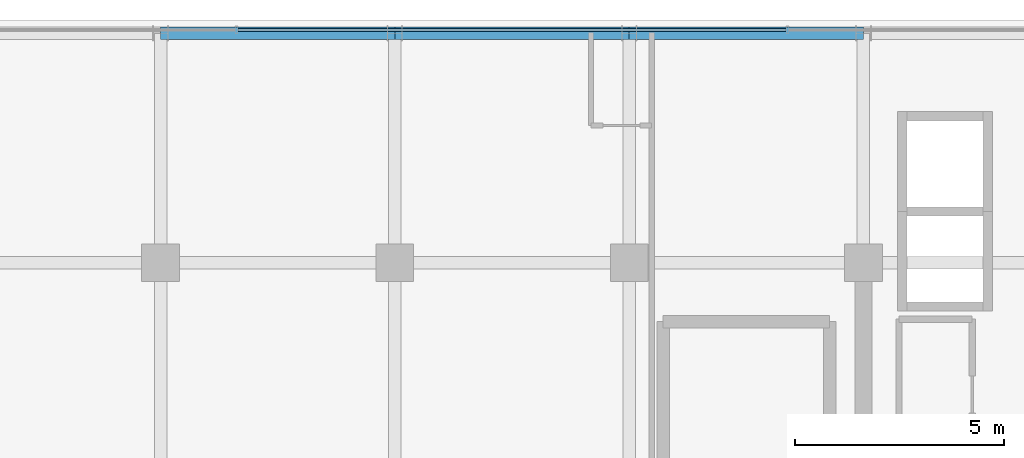
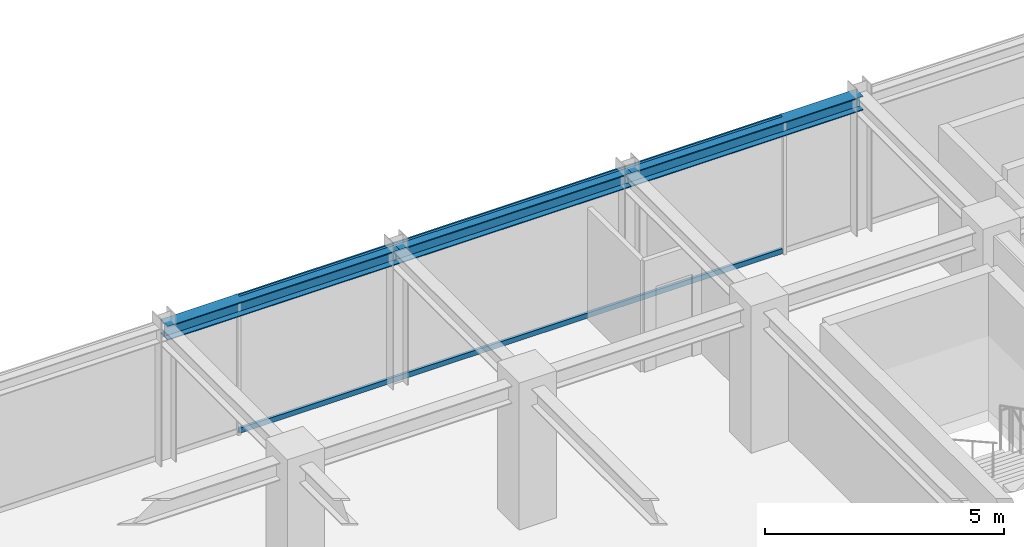
# One storey, part 20 of 32: 3 beams, 2 members, 1 element without a shape of its own.
"""IFC4 building model written with IfcOpenShell, lengths in metres."""

import ifcopenshell
import ifcopenshell.guid

model = None  # the IFC model being written
_history = None  # IfcOwnerHistory: only IFC2X3 demands one
_inside = {}  # id of a spatial element -> (the spatial element, [elements in it])
_under = {}  # id of a project, library or spatial element -> (it, [spatial elements below it])
_declared = {}  # id of a project -> (the project, [libraries it declares])
_typed = {}  # id of a type object -> (the type object, [elements of that type])
_made_of = {}  # id of a material, layer set ... -> (it, [elements and type objects made of it])


def new_model(schema):
    """Start an empty IFC model of exactly this schema.

    Asked for "IFC4X3", IfcOpenShell would pick the latest addendum, in which some entities
    have other attributes; the version numbers below select the first issue.
    IFC2X3 requires an IfcOwnerHistory on every rooted entity: one is made here for all.
    """
    global model, _history
    if schema == "IFC4X3":
        model = ifcopenshell.file(schema_version=(4, 3, 0, 0))
    else:
        model = ifcopenshell.file(schema=schema)
    _inside.clear()
    _under.clear()
    _declared.clear()
    _typed.clear()
    _made_of.clear()
    _history = None
    if model.schema == "IFC2X3":
        org = make("IfcOrganization", Name="unknown")
        user = make(
            "IfcPersonAndOrganization",
            ThePerson=make("IfcPerson", FamilyName="unknown"),
            TheOrganization=org,
        )
        app = make(
            "IfcApplication",
            ApplicationDeveloper=org,
            Version="unknown",
            ApplicationFullName="unknown",
            ApplicationIdentifier="unknown",
        )
        _history = make(
            "IfcOwnerHistory",
            OwningUser=user,
            OwningApplication=app,
            ChangeAction="ADDED",
            CreationDate=0,
        )
    return model


def make(cls, **values):
    """One entity of the class cls with the attributes given. An attribute that is None is left unset."""
    return model.create_entity(
        cls, **{name: value for name, value in values.items() if value is not None}
    )


def rooted(cls, **values):
    """An entity with a GlobalId (a new one), such as an element, a storey or a relation."""
    return make(cls, GlobalId=ifcopenshell.guid.new(), OwnerHistory=_history, **values)


def si_unit(unit_type, name, prefix=None):
    """IfcSIUnit, for example si_unit("LENGTHUNIT", "METRE", prefix="MILLI")."""
    return make("IfcSIUnit", UnitType=unit_type, Prefix=prefix, Name=name)


def assignment(units):
    """IfcUnitAssignment: the units of a project."""
    return None if units is None else make("IfcUnitAssignment", Units=units)


def point(xyz):
    """IfcCartesianPoint."""
    return None if xyz is None else make("IfcCartesianPoint", Coordinates=xyz)


def direction(xyz):
    """IfcDirection."""
    return None if xyz is None else make("IfcDirection", DirectionRatios=xyz)


def frame(location, z_axis=None, x_axis=None):
    """IfcAxis2Placement3D, a coordinate frame: its origin and axes. An axis left out is left unset."""
    return make(
        "IfcAxis2Placement3D",
        Location=point(location),
        Axis=direction(z_axis),
        RefDirection=direction(x_axis),
    )


def frame_2d(location, x_axis=None):
    """IfcAxis2Placement2D, a coordinate frame in the plane: its origin and x axis."""
    return make(
        "IfcAxis2Placement2D", Location=point(location), RefDirection=direction(x_axis)
    )


def origin():
    """The frame at (0, 0, 0) with its axes left unset."""
    return frame((0.0, 0.0, 0.0))


def origin_2d():
    """The frame at (0, 0) in the plane with its x axis left unset."""
    return frame_2d((0.0, 0.0))


def place(relative_to, where):
    """IfcLocalPlacement: puts the frame where relative to a parent placement (None: the world)."""
    return make(
        "IfcLocalPlacement", PlacementRelTo=relative_to, RelativePlacement=where
    )


def context(
    kind, dimensions, precision=None, world=None, true_north=None, identifier=None
):
    """IfcGeometricRepresentationContext, for example the 3D "Model" context."""
    return make(
        "IfcGeometricRepresentationContext",
        ContextIdentifier=identifier,
        ContextType=kind,
        CoordinateSpaceDimension=dimensions,
        Precision=precision,
        WorldCoordinateSystem=world,
        TrueNorth=true_north,
    )


def subcontext(parent, identifier, kind, view, scale=None):
    """IfcGeometricRepresentationSubContext, for example "Body" below "Model"."""
    return make(
        "IfcGeometricRepresentationSubContext",
        ContextIdentifier=identifier,
        ContextType=kind,
        ParentContext=parent,
        TargetScale=scale,
        TargetView=view,
    )


def project(units=None, contexts=None):
    """IfcProject with its units and contexts."""
    return rooted(
        "IfcProject",
        Name="project",
        RepresentationContexts=contexts,
        UnitsInContext=assignment(units),
    )


def spatial(cls, under=None, at=None, **own):
    """A site, building, storey or space (cls), placed at a placement, below another one or the project."""
    s = rooted(cls, ObjectPlacement=at, **own)
    if under is not None:
        _under.setdefault(under.id(), (under, []))[1].append(s)
    return s


def profile(cls, at=None, kind="AREA", **sizes):
    """A parametric profile (cls). Its sizes go by their IFC names, for example OverallWidth=200.0."""
    return make(cls, ProfileType=kind, Position=at, **sizes)


def hollow_rectangle(**sizes):
    """IfcRectangleHollowProfileDef."""
    return profile("IfcRectangleHollowProfileDef", **sizes)


def i_section(**sizes):
    """IfcIShapeProfileDef."""
    return profile("IfcIShapeProfileDef", **sizes)


def extrude(swept, where, along, depth):
    """IfcExtrudedAreaSolid: the profile swept, set in the frame where, extruded along a direction by depth."""
    return make(
        "IfcExtrudedAreaSolid",
        SweptArea=swept,
        Position=where,
        ExtrudedDirection=direction(along),
        Depth=depth,
    )


def shape(context_of_items, identifier, shape_type, items):
    """IfcShapeRepresentation: the items that make up one representation, for example the "Body"."""
    return make(
        "IfcShapeRepresentation",
        ContextOfItems=context_of_items,
        RepresentationIdentifier=identifier,
        RepresentationType=shape_type,
        Items=items,
    )


def source(mapping_origin, context_of_items, identifier, shape_type, items):
    """IfcRepresentationMap: a shape defined once, which mapped items show again and again."""
    return make(
        "IfcRepresentationMap",
        MappingOrigin=mapping_origin,
        MappedRepresentation=shape(context_of_items, identifier, shape_type, items),
    )


def transform(
    local_origin,
    x_axis=None,
    y_axis=None,
    z_axis=None,
    scale=None,
    scale2=None,
    scale3=None,
    uniform=True,
):
    """IfcCartesianTransformationOperator3D, or its non-uniform kind. x_axis, y_axis, z_axis: its Axis1, 2, 3."""
    if uniform:
        return make(
            "IfcCartesianTransformationOperator3D",
            Axis1=direction(x_axis),
            Axis2=direction(y_axis),
            LocalOrigin=point(local_origin),
            Scale=scale,
            Axis3=direction(z_axis),
        )
    return make(
        "IfcCartesianTransformationOperator3DnonUniform",
        Axis1=direction(x_axis),
        Axis2=direction(y_axis),
        LocalOrigin=point(local_origin),
        Scale=scale,
        Axis3=direction(z_axis),
        Scale2=scale2,
        Scale3=scale3,
    )


def mapped(mapping_source, mapping_target):
    """IfcMappedItem: shows the shape of a source again, moved by a transform."""
    return make(
        "IfcMappedItem", MappingSource=mapping_source, MappingTarget=mapping_target
    )


def material(Name=None, Category=None):
    """IfcMaterial."""
    return make("IfcMaterial", Name=Name, Category=Category)


def material_profile(
    of_material, cross_section, Name=None, Category=None, Priority=None
):
    """IfcMaterialProfile: a cross section and its material."""
    return make(
        "IfcMaterialProfile",
        Name=Name,
        Material=of_material,
        Profile=cross_section,
        Priority=Priority,
        Category=Category,
    )


def profile_set(profiles, Name=None, composite=None):
    """IfcMaterialProfileSet."""
    return make(
        "IfcMaterialProfileSet",
        Name=Name,
        MaterialProfiles=profiles,
        CompositeProfile=composite,
    )


def made_of(thing, what):
    """Note that an element or type object is made of a material, layer set ...; save() writes the relation."""
    if what is not None:
        _made_of.setdefault(what.id(), (what, []))[1].append(thing)
    return thing


def type_object(cls, material=None, **own):
    """A type object (cls), such as IfcWallType, which elements share."""
    return made_of(rooted(cls, **own), material)


def element(
    cls,
    number,
    at=None,
    inside=None,
    cuts=None,
    type_object=None,
    material=None,
    context=None,
    identifier="Body",
    shape_type=None,
    held_by="IfcProductDefinitionShape",
    body=None,
    shapes=None,
    **own,
):
    """One element of the class cls, such as IfcWall. Its Tag is "e" and its number.

    at: its placement. inside: the storey or other place that contains it. cuts: it is an
    opening in that element (IfcRelVoidsElement). A single representation is given by context,
    identifier, shape_type and body (its items); several are given by shapes. held_by: the class
    of the entity that holds the representations. save() writes the other relations.
    """
    e = rooted(cls, Tag="e%d" % number, ObjectPlacement=at, **own)
    if body is not None:
        shapes = [shape(context, identifier, shape_type, body)]
    if shapes is not None:
        e.Representation = make(held_by, Representations=shapes)
    if inside is not None:
        _inside.setdefault(inside.id(), (inside, []))[1].append(e)
    if cuts is not None:
        rooted(
            "IfcRelVoidsElement", RelatingBuildingElement=cuts, RelatedOpeningElement=e
        )
    if type_object is not None:
        _typed.setdefault(type_object.id(), (type_object, []))[1].append(e)
    return made_of(e, material)


def aggregate(whole, parts):
    """IfcRelAggregates: a whole, such as a stair, and the parts it consists of."""
    return rooted("IfcRelAggregates", RelatingObject=whole, RelatedObjects=parts)


def save(model, path):
    """Write the relations noted so far, then the file.

    IfcRelAggregates (storeys below a building ...), IfcRelContainedInSpatialStructure (elements
    in a storey), IfcRelDefinesByType, IfcRelAssociatesMaterial and IfcRelDeclares: one each for
    every whole, place, type object, material and project.
    """
    for whole, parts in _under.values():
        aggregate(whole, parts)
    for where, things in _inside.values():
        rooted(
            "IfcRelContainedInSpatialStructure",
            RelatedElements=things,
            RelatingStructure=where,
        )
    for kind, things in _typed.values():
        rooted("IfcRelDefinesByType", RelatedObjects=things, RelatingType=kind)
    for what, things in _made_of.values():
        rooted("IfcRelAssociatesMaterial", RelatedObjects=things, RelatingMaterial=what)
    for by, libraries in _declared.values():
        rooted("IfcRelDeclares", RelatingContext=by, RelatedDefinitions=libraries)
    model.write(path)


model = new_model("IFC4")

# Units and contexts
model_context = context("Model", 3, precision=1e-05, world=origin(), true_north=direction((0.0, 1.0)))
body_context = subcontext(model_context, "Body", "Model", "MODEL_VIEW")
ifc_project = project(units=[si_unit("LENGTHUNIT", "METRE"), si_unit("AREAUNIT", "SQUARE_METRE"), si_unit("VOLUMEUNIT", "CUBIC_METRE"), si_unit("PLANEANGLEUNIT", "RADIAN"), si_unit("MASSUNIT", "GRAM", prefix="KILO")], contexts=[model_context])

# Site, building, storey
site_placement = place(None, origin())
site = spatial("IfcSite", under=ifc_project, at=site_placement, CompositionType="ELEMENT")
building_placement = place(site_placement, origin())
building = spatial("IfcBuilding", under=site, at=building_placement, Name="Nahalor Promenade Grand Hotel", CompositionType="ELEMENT")
storey_placement = place(building_placement, frame((0.0, 0.0, 330.949951171875)))
storey = spatial("IfcBuildingStorey", under=building, at=storey_placement, Name="L85", CompositionType="ELEMENT", Elevation=330.949951171875)

# Beams
ifc_material_1 = material(Name="Steel S355JR", Category="steel")
ifc_material_profile_1 = material_profile(ifc_material_1, i_section(OverallWidth=0.3, OverallDepth=0.36, WebThickness=0.0125, FlangeThickness=0.0225, at=origin_2d()), Name="HEB 360")
ifc_profile_set_1 = profile_set([ifc_material_profile_1], Name="Steel S355JR")
beam_type = type_object("IfcBeamType", Name="Beam-Spandrel-HEB360", PredefinedType="SPANDREL", material=ifc_profile_set_1)
shared_shape_1 = source(origin(), body_context, "Body", "SweptSolid", [
    extrude(i_section(OverallWidth=0.3, OverallDepth=0.36, WebThickness=0.0125, FlangeThickness=0.0225, at=origin_2d()), origin(), (0.0, 0.0, 1.0), 5.599853515625),
])
for number, where, z_axis, x_axis, name in (
    (1, (-8.39990234375, 22.47998046875, 3.320068359375), (1.0, 0.0, 0.0), (0.0, 1.0, 0.0), "BM-L85-SP-N-1"),
    (2, (2.800048828125, 22.47998046875, 3.320068359375), (1.0, 0.0, 0.0), (0.0, 1.0, 0.0), "BM-L85-SP-N-3"),
):
    element("IfcBeam", number, at=place(storey_placement, frame(where, z_axis=z_axis, x_axis=x_axis)), inside=storey, type_object=beam_type, Name=name, PredefinedType="SPANDREL", context=body_context, shape_type="MappedRepresentation", body=[
        mapped(shared_shape_1, transform((0.0, 0.0, 0.0), scale=1.0)),
    ])
shared_shape_2 = source(origin(), body_context, "Body", "SweptSolid", [
    extrude(i_section(OverallWidth=0.3, OverallDepth=0.36, WebThickness=0.0125, FlangeThickness=0.0225, at=origin_2d()), origin(), (0.0, 0.0, 1.0), 5.60009765625),
])
beam_placement = place(storey_placement, frame((-2.800048828125, 22.47998046875, 3.320068359375), z_axis=(1.0, 0.0, 0.0), x_axis=(0.0, 1.0, 0.0)))
element("IfcBeam", 3, at=beam_placement, inside=storey, type_object=beam_type, Name="BM-L85-SP-N-2", PredefinedType="SPANDREL", context=body_context, shape_type="MappedRepresentation", body=[
    mapped(shared_shape_2, transform((0.0, 0.0, 0.0), scale=1.0)),
])

# Curtain wall, members
ifc_material_2 = material(Name="Anodised Bronze Aluminium EN AW-6063 T6", Category="aluminium")
curtain_wall_type = type_object("IfcCurtainWallType", Name="CW2 Typical Hotel Flush Bronze Unitised Curtain Wall", PredefinedType="USERDEFINED", material=ifc_material_2)
curtain_wall_placement = place(storey_placement, origin())
curtain_wall = element("IfcCurtainWall", 4, at=curtain_wall_placement, inside=storey, type_object=curtain_wall_type, Name="L85 Curtain Wall CW-L85-N-1", ObjectType="UNITISED_CURTAIN_WALL", PredefinedType="USERDEFINED")
ifc_material_profile_2 = material_profile(ifc_material_2, hollow_rectangle(XDim=0.065, YDim=0.13, WallThickness=0.004, at=origin_2d()), Name="CWT 65x130x4")
ifc_profile_set_2 = profile_set([ifc_material_profile_2], Name="Anodised Bronze Aluminium EN AW-6063 T6")
member_type = type_object("IfcMemberType", Name="CWT2 Typical Bronze Transom 65x130", PredefinedType="USERDEFINED", material=ifc_profile_set_2)
shared_shape_3 = source(origin(), body_context, "Body", "SweptSolid", [
    extrude(hollow_rectangle(XDim=0.065, YDim=0.13, WallThickness=0.004, at=origin_2d()), origin(), (0.0, 0.0, 1.0), 13.1083984375),
])
member_1_placement = place(storey_placement, frame((-6.55419921875, 22.56005859375, 0.06494140625), z_axis=(1.0, 0.0, 0.0), x_axis=(0.0, 1.0, 0.0)))
member_1 = element("IfcMember", 5, at=member_1_placement, type_object=member_type, Name="CW-L85-N-1 Transom 1-0", ObjectType="TRANSOM", PredefinedType="USERDEFINED", context=body_context, shape_type="MappedRepresentation", body=[
    mapped(shared_shape_3, transform((0.0, 0.0, 0.0), scale=1.0)),
])
member_2_placement = place(storey_placement, frame((-6.55419921875, 22.56005859375, 3.43505859375), z_axis=(1.0, 0.0, 0.0), x_axis=(0.0, 1.0, 0.0)))
member_2 = element("IfcMember", 6, at=member_2_placement, type_object=member_type, Name="CW-L85-N-1 Transom 1-1", ObjectType="TRANSOM", PredefinedType="USERDEFINED", context=body_context, shape_type="MappedRepresentation", body=[
    mapped(shared_shape_3, transform((0.0, 0.0, 0.0), scale=1.0)),
])
aggregate(curtain_wall, [member_1, member_2])

save(model, "model.ifc")
